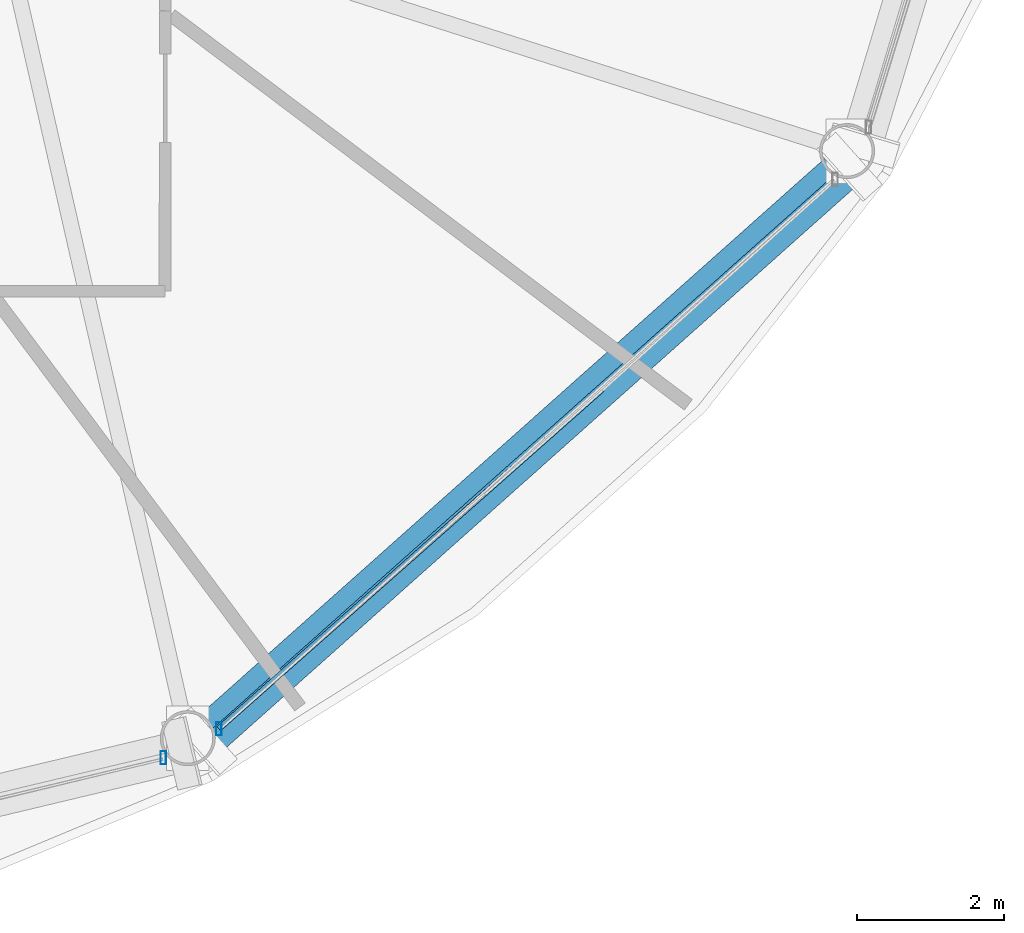
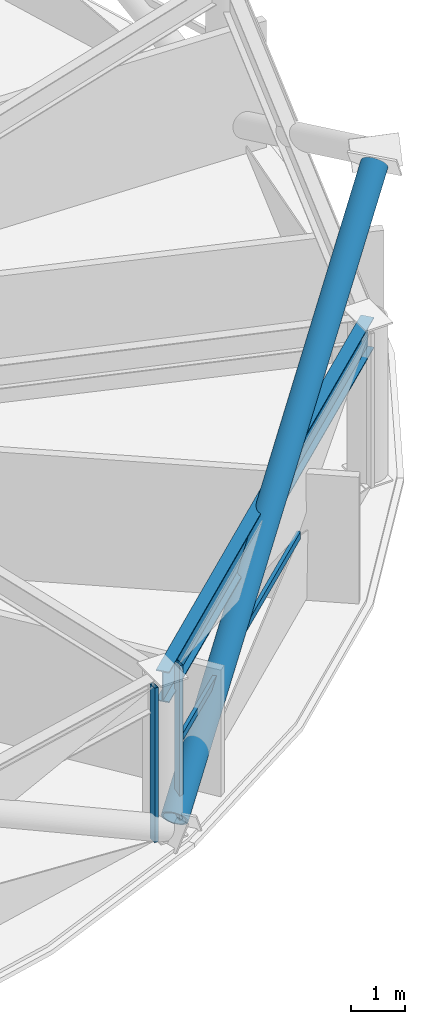
# One storey, part 8 of 29: 4 members, 1 beam, 2 elements without a shape of their own.
"""IFC4 building model written with IfcOpenShell, lengths in metres."""

from ifc_helpers import new_model, si_unit, direction, frame, origin, origin_2d, place, context, subcontext, project, spatial, hollow_rectangle, hollow_circle, i_section, extrude, material, layer, layer_set, material_profile, profile_set, type_object, element, aggregate, save


model = new_model("IFC4")

# Units and contexts
model_context = context("Model", 3, precision=1e-05, world=origin(), true_north=direction((0.0, 1.0)))
body_context = subcontext(model_context, "Body", "Model", "MODEL_VIEW")
ifc_project = project(units=[si_unit("LENGTHUNIT", "METRE"), si_unit("AREAUNIT", "SQUARE_METRE"), si_unit("VOLUMEUNIT", "CUBIC_METRE"), si_unit("PLANEANGLEUNIT", "RADIAN"), si_unit("MASSUNIT", "GRAM", prefix="KILO")], contexts=[model_context])

# Site, building, storey
site_placement = place(None, origin())
site = spatial("IfcSite", under=ifc_project, at=site_placement, CompositionType="ELEMENT")
building_placement = place(site_placement, origin())
building = spatial("IfcBuilding", under=site, at=building_placement, Name="Vantalir Tower", CompositionType="ELEMENT")
storey_placement = place(building_placement, frame((0.0, 0.0, 164.699951171875)))
storey = spatial("IfcBuildingStorey", under=building, at=storey_placement, Name="L41", CompositionType="ELEMENT", Elevation=164.699951171875)

# Beam
ifc_material_1 = material(Name="Steel S460", Category="steel")
ifc_material_profile_1 = material_profile(ifc_material_1, i_section(OverallWidth=0.256103515625, OverallDepth=0.693115234375, WebThickness=0.014404296875, FlangeThickness=0.023681640625, at=origin_2d()), Name="Steel S460")
ifc_profile_set_1 = profile_set([ifc_material_profile_1], Name="Steel S460")
beam_type = type_object("IfcBeamType", Name="BM-RG-686x254", PredefinedType="USERDEFINED", material=ifc_profile_set_1)
beam_placement = place(storey_placement, frame((43.76806640625, 6.0791015625, 3.22412109375), z_axis=(0.746841140724, 0.66500248911, 0.0), x_axis=(-0.66500248911, 0.746841140724, 0.0)))
element("IfcBeam", 1, at=beam_placement, inside=storey, type_object=beam_type, Name="L41 Circumferential Ring Girder 11", ObjectType="GIRDER", PredefinedType="USERDEFINED", context=body_context, shape_type="SweptSolid", body=[
    extrude(i_section(OverallWidth=0.256103515625, OverallDepth=0.693115234375, WebThickness=0.014404296875, FlangeThickness=0.023681640625, at=origin_2d()), origin(), (0.0, 0.0, 1.0), 12.025146484375),
])

# Curtain wall, member
ifc_material_2 = material(Name="Champagne-silver PVDF aluminium and double-silver Low-E glass", Category="aluminium")
ifc_layer = layer(ifc_material_2, 0.199951171875)
ifc_layer_set = layer_set([ifc_layer], Name="Champagne-silver PVDF aluminium and double-silver Low-E glass")
curtain_wall_type = type_object("IfcCurtainWallType", Name="CW-DIAMOND-Z2", PredefinedType="USERDEFINED", material=ifc_layer_set)
curtain_wall_1_placement = place(storey_placement, origin())
curtain_wall_1 = element("IfcCurtainWall", 2, at=curtain_wall_1_placement, inside=storey, type_object=curtain_wall_type, Name="L41 Quilted Pyramid-Diamond Curtain Wall S10", ObjectType="UNITISED CURTAIN WALL", PredefinedType="USERDEFINED")
ifc_material_3 = material(Name="Champagne-silver PVDF aluminium 6063-T6", Category="aluminium")
ifc_material_profile_2 = material_profile(ifc_material_3, hollow_rectangle(XDim=0.074951171875, YDim=0.179931640625, WallThickness=0.00390625, at=origin_2d()), Name="Champagne-silver PVDF aluminium 6063-T6")
ifc_profile_set_2 = profile_set([ifc_material_profile_2], Name="Champagne-silver PVDF aluminium 6063-T6")
member_type_1 = type_object("IfcMemberType", Name="CWM-180x75", PredefinedType="MULLION", material=ifc_profile_set_2)
member_1_placement = place(storey_placement, frame((43.43505859375, 5.81298828125, 0.045166015625), z_axis=(0.0, 0.0, 1.0), x_axis=(1.0, 0.0, 0.0)))
member_1 = element("IfcMember", 3, at=member_1_placement, type_object=member_type_1, Name="CW-L41-S10 Mullion 2", PredefinedType="MULLION", context=body_context, shape_type="SweptSolid", body=[
    extrude(hollow_rectangle(XDim=0.074951171875, YDim=0.179931640625, WallThickness=0.00390625, at=origin_2d()), origin(), (0.0, 0.0, 1.0), 3.47998046875),
])
aggregate(curtain_wall_1, [member_1])

# Curtain wall, members
curtain_wall_2_placement = place(storey_placement, origin())
curtain_wall_2 = element("IfcCurtainWall", 4, at=curtain_wall_2_placement, inside=storey, type_object=curtain_wall_type, Name="L41 Quilted Pyramid-Diamond Curtain Wall S11", ObjectType="UNITISED CURTAIN WALL", PredefinedType="USERDEFINED")
member_2_placement = place(storey_placement, frame((44.19091796875, 6.2080078125, 0.045166015625), z_axis=(0.0, 0.0, 1.0), x_axis=(1.0, 0.0, 0.0)))
member_2 = element("IfcMember", 5, at=member_2_placement, type_object=member_type_1, Name="CW-L41-S11 Mullion 1", PredefinedType="MULLION", context=body_context, shape_type="SweptSolid", body=[
    extrude(hollow_rectangle(XDim=0.074951171875, YDim=0.179931640625, WallThickness=0.00390625, at=origin_2d()), origin(), (0.0, 0.0, 1.0), 3.47998046875),
])
ifc_material_profile_3 = material_profile(ifc_material_3, hollow_rectangle(XDim=0.074951171875, YDim=0.159912109375, WallThickness=0.00390625, at=origin_2d()), Name="Champagne-silver PVDF aluminium 6063-T6")
ifc_profile_set_3 = profile_set([ifc_material_profile_3], Name="Champagne-silver PVDF aluminium 6063-T6")
member_type_2 = type_object("IfcMemberType", Name="CWT-160x75", PredefinedType="USERDEFINED", material=ifc_profile_set_3)
member_3_placement = place(storey_placement, frame((44.19091796875, 6.2080078125, 1.78515625), z_axis=(0.748813482523, 0.662780784568, 0.0), x_axis=(-0.662780784568, 0.748813482523, 0.0)))
member_3 = element("IfcMember", 6, at=member_3_placement, type_object=member_type_2, Name="CW-L41-S11 Pyramid Fold Ridge Transom", ObjectType="TRANSOM", PredefinedType="USERDEFINED", context=body_context, shape_type="SweptSolid", body=[
    extrude(hollow_rectangle(XDim=0.074951171875, YDim=0.159912109375, WallThickness=0.00390625, at=origin_2d()), origin(), (0.0, 0.0, 1.0), 6.975341796875),
])
aggregate(curtain_wall_2, [member_2, member_3])

# Member
ifc_material_profile_4 = material_profile(ifc_material_1, hollow_circle(Radius=0.260009765625, WallThickness=0.0380859375, at=origin_2d()), Name="Steel S460")
ifc_profile_set_4 = profile_set([ifc_material_profile_4], Name="Steel S460")
member_type_3 = type_object("IfcMemberType", Name="MEM-DB-520x38", PredefinedType="BRACE", material=ifc_profile_set_4)
member_4_placement = place(storey_placement, frame((44.00390625, 6.041015625, 0.192138671875), z_axis=(0.642832846563, 0.572882666568, 0.508499146239), x_axis=(-0.665320659853, 0.746557713491, 0.0)))
element("IfcMember", 7, at=member_4_placement, inside=storey, type_object=member_type_3, Name="L41 Perimeter S460 Diagrid Brace R31L", PredefinedType="BRACE", context=body_context, shape_type="SweptSolid", body=[
    extrude(hollow_circle(Radius=0.260009765625, WallThickness=0.0380859375, at=origin_2d()), origin(), (0.0, 0.0, 1.0), 13.6396484375),
])

save(model, "model.ifc")
